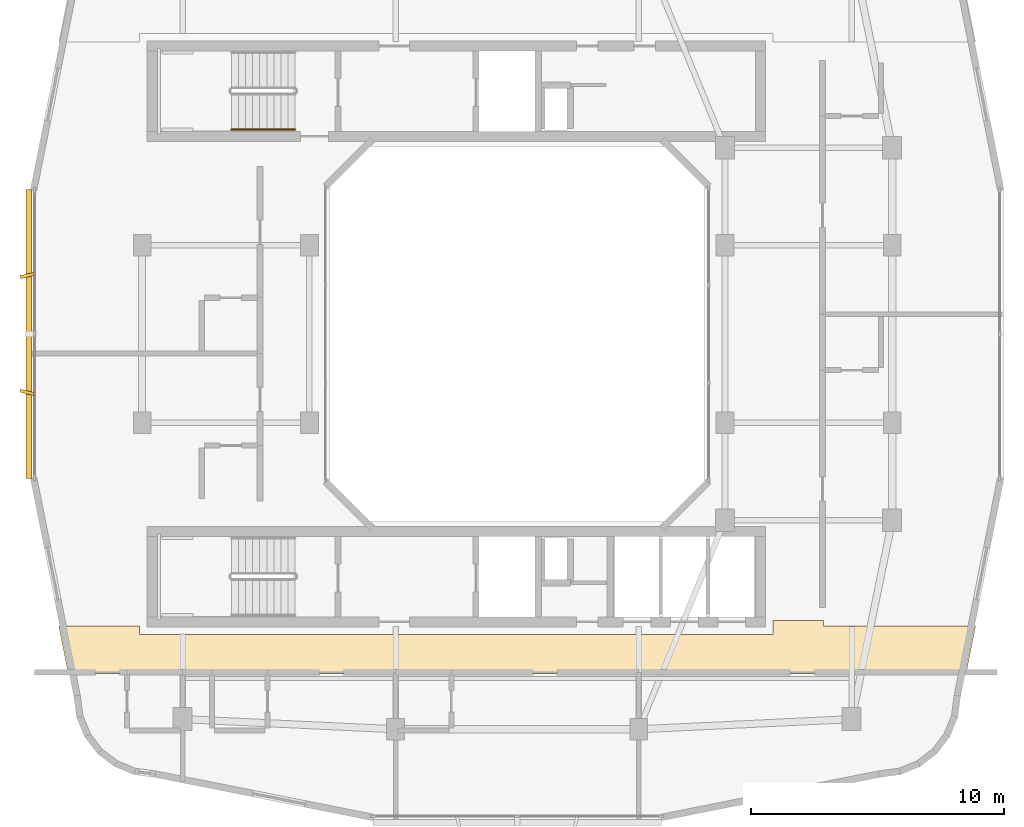
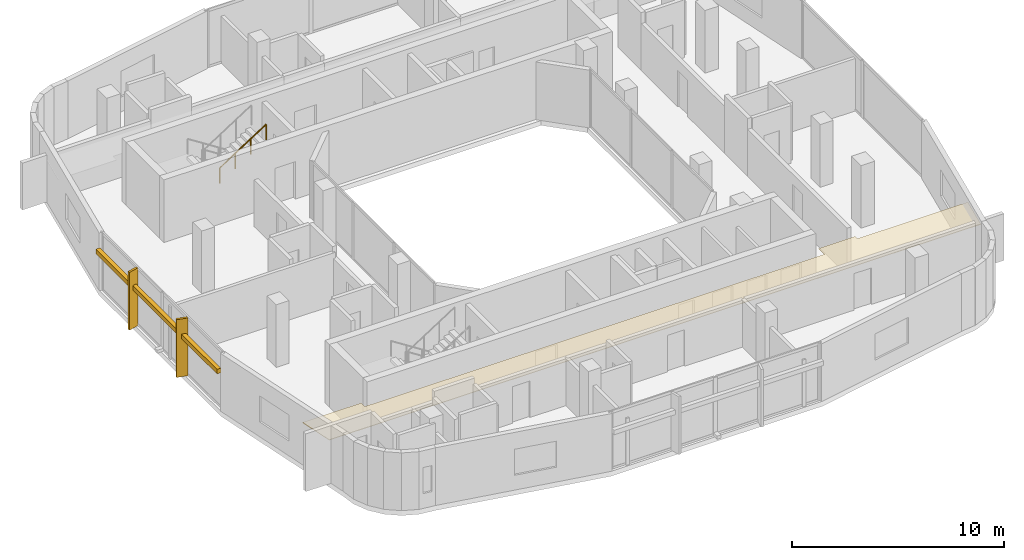
# One storey, part 12 of 14: 3 shading devices, 1 covering, 1 railing.
"""IFC4 building model written with IfcOpenShell, lengths in metres."""

from ifc_helpers import new_model, si_unit, derived_unit, direction, frame, origin, origin_2d, place, context, subcontext, project, spatial, polyline, rectangle, circle, outline, extrude, material, layer, layer_set, type_object, element, save


model = new_model("IFC4")

# Units and contexts
model_context = context("Model", 3, precision=1e-05, world=origin(), true_north=direction((0.0, 1.0)))
body_context = subcontext(model_context, "Body", "Model", "MODEL_VIEW")
ifc_project = project(units=[si_unit("LENGTHUNIT", "METRE"), si_unit("AREAUNIT", "SQUARE_METRE"), si_unit("VOLUMEUNIT", "CUBIC_METRE"), si_unit("PLANEANGLEUNIT", "RADIAN"), si_unit("MASSUNIT", "GRAM", prefix="KILO"), derived_unit("THERMALTRANSMITTANCEUNIT", [(si_unit("POWERUNIT", "WATT"), 1), (si_unit("LENGTHUNIT", "METRE"), -2), (si_unit("THERMODYNAMICTEMPERATUREUNIT", "KELVIN"), -1)])], contexts=[model_context])

# Site, building, storey
site_placement = place(None, origin())
site = spatial("IfcSite", under=ifc_project, at=site_placement, CompositionType="ELEMENT")
building_placement = place(site_placement, origin())
building = spatial("IfcBuilding", under=site, at=building_placement, Name="Kivonza Crest Hotel", CompositionType="ELEMENT")
storey_placement = place(building_placement, frame((0.0, 0.0, 217.10009765625)))
storey = spatial("IfcBuildingStorey", under=building, at=storey_placement, Name="L59", CompositionType="ELEMENT", Elevation=217.10009765625)

# Covering
ifc_material_1 = material(Name="Moisture-resistant gypsum plasterboard ceiling", Category="gypsum")
ifc_layer = layer(ifc_material_1, 0.030029296875)
ifc_layer_set = layer_set([ifc_layer], Name="Moisture-resistant gypsum plasterboard ceiling")
covering_type = type_object("IfcCoveringType", Name="CV-CEIL-GYP", PredefinedType="CEILING", material=ifc_layer_set)
covering_placement = place(storey_placement, frame((0.0, 0.0, 2.449951171875)))
element("IfcCovering", 1, at=covering_placement, inside=storey, type_object=covering_type, Name="L59 Hotel South Guest Corridor suspended ceiling", PredefinedType="CEILING", context=body_context, shape_type="SweptSolid", body=[
    extrude(outline(polyline([(33.090087890625, 13.47998046875), (33.090087890625, 13.68994140625), (31.10009765625, 13.68994140625), (31.10009765625, 13.139892578125), (6.10009765625, 13.139892578125), (6.10009765625, 13.47998046875), (2.906005859375, 13.47998046875), (3.278076171875, 11.610107421875), (38.721923828125, 11.610107421875), (39.093994140625, 13.47998046875), (33.090087890625, 13.47998046875)])), origin(), (0.0, 0.0, 1.0), 0.030029296875),
])

# Railing
ifc_material_2 = material(Name="Brushed stainless steel handrail", Category="steel")
railing_type = type_object("IfcRailingType", Name="RL-HAND-900", PredefinedType="HANDRAIL", material=ifc_material_2)
railing_placement = place(storey_placement, frame((9.719970703125, 33.070068359375, 1.97998046875)))
element("IfcRailing", 2, at=railing_placement, inside=storey, type_object=railing_type, Name="L59 ST-T1-N stair handrail 2", PredefinedType="HANDRAIL", context=body_context, shape_type="SweptSolid", body=[
    extrude(circle(Radius=0.02392578125, at=origin_2d()), frame((0.0, 0.0, 0.8759765625), z_axis=(0.841199657755, 0.0, 0.540724639528), x_axis=(0.0, 1.0, 0.0)), (0.0, 0.0, 1.0), 2.995849609375),
    extrude(circle(Radius=0.02099609375, at=origin_2d()), origin(), (0.0, 0.0, 1.0), 0.851806640625),
    extrude(circle(Radius=0.02099609375, at=origin_2d()), frame((0.840087890625, 0.0, 0.5400390625)), (0.0, 0.0, 1.0), 0.851806640625),
    extrude(circle(Radius=0.02099609375, at=origin_2d()), frame((1.679931640625, 0.0, 1.079833984375)), (0.0, 0.0, 1.0), 0.851806640625),
    extrude(circle(Radius=0.02099609375, at=origin_2d()), frame((2.52001953125, 0.0, 1.619873046875)), (0.0, 0.0, 1.0), 0.851806640625),
])

# Shading devices
ifc_material_3 = material(Name="Kiln-fired Nairobi red-ochre terracotta", Category="masonry")
shading_device_type_1 = type_object("IfcShadingDeviceType", Name="SH-BAGUETTE-300", PredefinedType="USERDEFINED", material=ifc_material_3)
shading_device_placement = place(storey_placement, frame((1.719970703125, 25.0, 2.19384765625), z_axis=(0.0, 0.0, 1.0), x_axis=(0.0, -1.0, 0.0)))
element("IfcShadingDevice", 3, at=shading_device_placement, inside=storey, type_object=shading_device_type_1, Name="L59 terracotta baguette screen CW-T1-L59-35", ObjectType="BAGUETTE", PredefinedType="USERDEFINED", context=body_context, shape_type="SweptSolid", body=[
    extrude(rectangle(XDim=11.39990234375, YDim=0.219970703125, at=origin_2d()), origin(), (0.0, 0.0, 1.0), 0.260009765625),
])
ifc_material_4 = material(Name="Kiln-fired terracotta over extruded aluminium spine", Category="masonry")
shading_device_type_2 = type_object("IfcShadingDeviceType", Name="SH-FIN-550", PredefinedType="USERDEFINED", material=ifc_material_4)
for number, where, z_axis, x_axis, name in (
    (4, (1.659912109375, 27.303955078125, 0.0), (0.0, 0.0, 1.0), (0.2419218956, -0.970295726276, 0.0), "L59 vertical solar shading fin CW-T1-L59-35-1"),
    (5, (1.659912109375, 22.696044921875, 0.0), (0.0, 0.0, 1.0), (-0.2419218956, -0.970295726276, 0.0), "L59 vertical solar shading fin CW-T1-L59-35-2"),
):
    element("IfcShadingDevice", number, at=place(storey_placement, frame(where, z_axis=z_axis, x_axis=x_axis)), inside=storey, type_object=shading_device_type_2, Name=name, ObjectType="FIN", PredefinedType="USERDEFINED", context=body_context, shape_type="SweptSolid", body=[
        extrude(rectangle(XDim=0.1201171875, YDim=0.550048828125, at=origin_2d()), origin(), (0.0, 0.0, 1.0), 3.320068359375),
    ])

save(model, "model.ifc")
